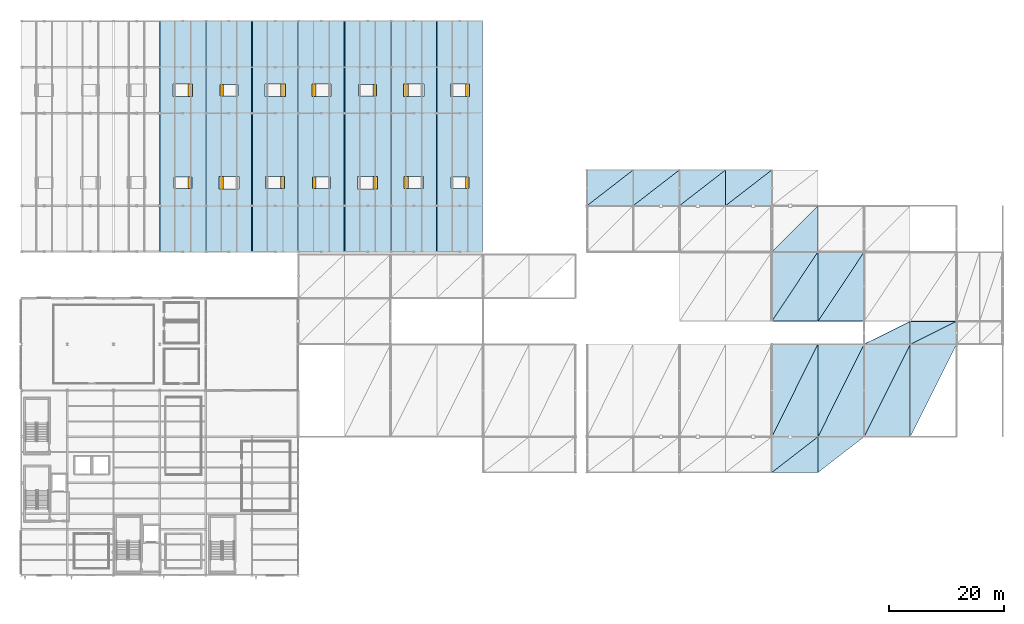
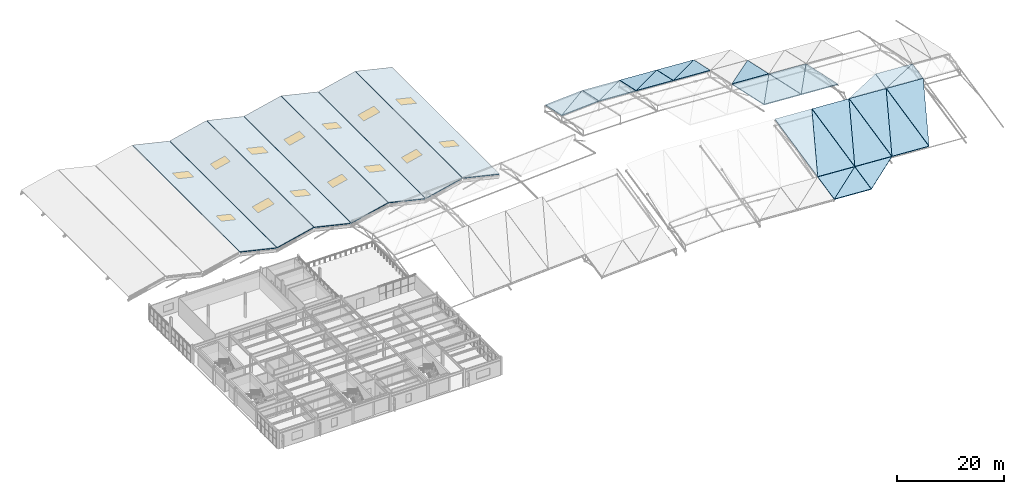
# One storey, part 38 of 67: 33 slabs, 14 windows, 14 openings.
"""IFC4 building model written with IfcOpenShell, lengths in metres."""

from ifc_helpers import new_model, si_unit, direction, frame, origin, origin_2d, place, context, subcontext, project, spatial, polyline, rectangle, outline, extrude, material, layer, layer_set, type_object, element, fill, save


model = new_model("IFC4")

# Units and contexts
model_context = context("Model", 3, precision=1e-05, world=origin(), true_north=direction((0.0, 1.0)))
body_context = subcontext(model_context, "Body", "Model", "MODEL_VIEW")
ifc_project = project(units=[si_unit("LENGTHUNIT", "METRE"), si_unit("AREAUNIT", "SQUARE_METRE"), si_unit("VOLUMEUNIT", "CUBIC_METRE"), si_unit("PLANEANGLEUNIT", "RADIAN"), si_unit("MASSUNIT", "GRAM", prefix="KILO")], contexts=[model_context])

# Site, building, storey
site_placement = place(None, origin())
site = spatial("IfcSite", under=ifc_project, at=site_placement, CompositionType="ELEMENT")
building_placement = place(site_placement, origin())
building = spatial("IfcBuilding", under=site, at=building_placement, Name="Drelvath Fold Interchange", CompositionType="ELEMENT")
storey_placement = place(building_placement, frame((0.0, 0.0, 15.60009765625)))
storey = spatial("IfcBuildingStorey", under=building, at=storey_placement, Name="L03", CompositionType="ELEMENT", Elevation=15.60009765625)

# Slab, openings, windows
ifc_material_1 = material(Name="Concrete f'c 35 MPa (5000 psi)", Category="concrete")
ifc_layer_1 = layer(ifc_material_1, 0.18994140625, Name="Concrete f'c 35 MPa (5000 psi)")
ifc_layer_set_1 = layer_set([ifc_layer_1], Name="Concrete f'c 35 MPa (5000 psi)")
slab_type_1 = type_object("IfcSlabType", Name="RF-FP1", PredefinedType="ROOF", material=ifc_layer_set_1)
slab_1_placement = place(storey_placement, frame((28.054931640625, 59.0, 2.39990234375), z_axis=(0.228290377814, 0.0, 0.973593089231), x_axis=(0.973593089231, 0.0, -0.228290377814)))
slab_1 = element("IfcSlab", 1, at=slab_1_placement, inside=storey, type_object=slab_type_1, Name="Concourse folded-plate roof slab 4", PredefinedType="ROOF", context=body_context, shape_type="SweptSolid", body=[
    extrude(outline(polyline([(0.0, 0.0), (8.104142075397542, 0.0), (8.104142075397542, 40.00000000000001), (0.0, 40.00000000000001), (0.0, 0.0)])), origin(), (0.0, 0.0, -1.0), 0.18994140625),
])
opening_1_placement = place(slab_1_placement, frame((4.052001953125, 12.0, 0.010009765625)))
opening_1 = element("IfcOpeningElement", 2, at=opening_1_placement, cuts=slab_1, Name="Opening SK-07", PredefinedType="OPENING", context=body_context, shape_type="SweptSolid", body=[
    extrude(rectangle(XDim=3.199951171875, YDim=2.0, at=origin_2d()), origin(), (0.0, 0.0, -1.0), 0.2099609375),
])
opening_2_placement = place(slab_1_placement, frame((4.052001953125, 28.0, 0.010009765625)))
opening_2 = element("IfcOpeningElement", 3, at=opening_2_placement, cuts=slab_1, Name="Opening SK-08", PredefinedType="OPENING", context=body_context, shape_type="SweptSolid", body=[
    extrude(rectangle(XDim=3.39990234375, YDim=2.10009765625, at=origin_2d()), origin(), (0.0, 0.0, -1.0), 0.2099609375),
])
ifc_material_2 = material(Name="Fritted Laminated Skylight Glass", Category="glass")
window_type_1 = type_object("IfcWindowType", Name="SK-320x200", PartitioningType="DOUBLE_PANEL_HORIZONTAL", PredefinedType="SKYLIGHT", material=ifc_material_2)
window_1_placement = place(slab_1_placement, frame((4.052001953125, 12.0, 0.0)))
window_1 = element("IfcWindow", 4, at=window_1_placement, inside=storey, type_object=window_type_1, Name="Roof skylight SK-07", OverallHeight=2.0, OverallWidth=3.199951171875, PartitioningType="SINGLE_PANEL", PredefinedType="SKYLIGHT", context=body_context, shape_type="SweptSolid", body=[
    extrude(rectangle(XDim=3.199951171875, YDim=2.0, at=origin_2d()), origin(), (0.0, 0.0, -1.0), 0.050048828125),
])
fill(opening_1, window_1)
window_type_2 = type_object("IfcWindowType", Name="SK-340x210", PartitioningType="DOUBLE_PANEL_HORIZONTAL", PredefinedType="SKYLIGHT", material=ifc_material_2)
window_2_placement = place(slab_1_placement, frame((4.052001953125, 28.0, 0.0)))
window_2 = element("IfcWindow", 5, at=window_2_placement, inside=storey, type_object=window_type_2, Name="Roof skylight SK-08", OverallHeight=2.10009765625, OverallWidth=3.39990234375, PartitioningType="SINGLE_PANEL", PredefinedType="SKYLIGHT", context=body_context, shape_type="SweptSolid", body=[
    extrude(rectangle(XDim=3.39990234375, YDim=2.10009765625, at=origin_2d()), origin(), (0.0, 0.0, -1.0), 0.050048828125),
])
fill(opening_2, window_2)

slab_2_placement = place(storey_placement, frame((36.054931640625, 59.0, 0.5498046875), z_axis=(-0.228290377814, 0.0, 0.973593089231), x_axis=(0.973593089231, 0.0, 0.228290377814)))
slab_2 = element("IfcSlab", 6, at=slab_2_placement, inside=storey, type_object=slab_type_1, Name="Concourse folded-plate roof slab 5", PredefinedType="ROOF", context=body_context, shape_type="SweptSolid", body=[
    extrude(outline(polyline([(0.0, 0.0), (8.104142075397542, 0.0), (8.104142075397542, 40.00000000000001), (0.0, 40.00000000000001), (0.0, 0.0)])), origin(), (0.0, 0.0, -1.0), 0.18994140625),
])
opening_3_placement = place(slab_2_placement, frame((4.052001953125, 12.0, 0.010009765625)))
opening_3 = element("IfcOpeningElement", 7, at=opening_3_placement, cuts=slab_2, Name="Opening SK-09", PredefinedType="OPENING", context=body_context, shape_type="SweptSolid", body=[
    extrude(rectangle(XDim=3.60009765625, YDim=2.199951171875, at=origin_2d()), origin(), (0.0, 0.0, -1.0), 0.2099609375),
])
opening_4_placement = place(slab_2_placement, frame((4.052001953125, 28.0, 0.010009765625)))
opening_4 = element("IfcOpeningElement", 8, at=opening_4_placement, cuts=slab_2, Name="Opening SK-10", PredefinedType="OPENING", context=body_context, shape_type="SweptSolid", body=[
    extrude(rectangle(XDim=3.199951171875, YDim=2.0, at=origin_2d()), origin(), (0.0, 0.0, -1.0), 0.2099609375),
])
window_3_placement = place(slab_2_placement, frame((4.052001953125, 28.0, 0.0)))
window_3 = element("IfcWindow", 9, at=window_3_placement, inside=storey, type_object=window_type_1, Name="Roof skylight SK-10", OverallHeight=2.0, OverallWidth=3.199951171875, PartitioningType="SINGLE_PANEL", PredefinedType="SKYLIGHT", context=body_context, shape_type="SweptSolid", body=[
    extrude(rectangle(XDim=3.199951171875, YDim=2.0, at=origin_2d()), origin(), (0.0, 0.0, -1.0), 0.050048828125),
])
fill(opening_4, window_3)
window_type_3 = type_object("IfcWindowType", Name="SK-360x220", PartitioningType="DOUBLE_PANEL_HORIZONTAL", PredefinedType="SKYLIGHT", material=ifc_material_2)
window_4_placement = place(slab_2_placement, frame((4.052001953125, 12.0, 0.0)))
window_4 = element("IfcWindow", 10, at=window_4_placement, inside=storey, type_object=window_type_3, Name="Roof skylight SK-09", OverallHeight=2.199951171875, OverallWidth=3.60009765625, PartitioningType="SINGLE_PANEL", PredefinedType="SKYLIGHT", context=body_context, shape_type="SweptSolid", body=[
    extrude(rectangle(XDim=3.60009765625, YDim=2.199951171875, at=origin_2d()), origin(), (0.0, 0.0, -1.0), 0.050048828125),
])
fill(opening_3, window_4)

slab_3_placement = place(storey_placement, frame((44.054931640625, 59.0, 2.39990234375), z_axis=(0.228290377814, 0.0, 0.973593089231), x_axis=(0.973593089231, 0.0, -0.228290377814)))
slab_3 = element("IfcSlab", 11, at=slab_3_placement, inside=storey, type_object=slab_type_1, Name="Concourse folded-plate roof slab 6", PredefinedType="ROOF", context=body_context, shape_type="SweptSolid", body=[
    extrude(outline(polyline([(0.0, 0.0), (8.104142075397542, 0.0), (8.104142075397542, 40.00000000000001), (0.0, 40.00000000000001), (0.0, 0.0)])), origin(), (0.0, 0.0, -1.0), 0.18994140625),
])
opening_5_placement = place(slab_3_placement, frame((4.052001953125, 12.0, 0.010009765625)))
opening_5 = element("IfcOpeningElement", 12, at=opening_5_placement, cuts=slab_3, Name="Opening SK-11", PredefinedType="OPENING", context=body_context, shape_type="SweptSolid", body=[
    extrude(rectangle(XDim=3.39990234375, YDim=2.10009765625, at=origin_2d()), origin(), (0.0, 0.0, -1.0), 0.2099609375),
])
opening_6_placement = place(slab_3_placement, frame((4.052001953125, 28.0, 0.010009765625)))
opening_6 = element("IfcOpeningElement", 13, at=opening_6_placement, cuts=slab_3, Name="Opening SK-12", PredefinedType="OPENING", context=body_context, shape_type="SweptSolid", body=[
    extrude(rectangle(XDim=3.60009765625, YDim=2.199951171875, at=origin_2d()), origin(), (0.0, 0.0, -1.0), 0.2099609375),
])
window_5_placement = place(slab_3_placement, frame((4.052001953125, 12.0, 0.0)))
window_5 = element("IfcWindow", 14, at=window_5_placement, inside=storey, type_object=window_type_2, Name="Roof skylight SK-11", OverallHeight=2.10009765625, OverallWidth=3.39990234375, PartitioningType="SINGLE_PANEL", PredefinedType="SKYLIGHT", context=body_context, shape_type="SweptSolid", body=[
    extrude(rectangle(XDim=3.39990234375, YDim=2.10009765625, at=origin_2d()), origin(), (0.0, 0.0, -1.0), 0.050048828125),
])
fill(opening_5, window_5)
window_6_placement = place(slab_3_placement, frame((4.052001953125, 28.0, 0.0)))
window_6 = element("IfcWindow", 15, at=window_6_placement, inside=storey, type_object=window_type_3, Name="Roof skylight SK-12", OverallHeight=2.199951171875, OverallWidth=3.60009765625, PartitioningType="SINGLE_PANEL", PredefinedType="SKYLIGHT", context=body_context, shape_type="SweptSolid", body=[
    extrude(rectangle(XDim=3.60009765625, YDim=2.199951171875, at=origin_2d()), origin(), (0.0, 0.0, -1.0), 0.050048828125),
])
fill(opening_6, window_6)

slab_4_placement = place(storey_placement, frame((52.054931640625, 59.0, 0.5498046875), z_axis=(-0.228290377814, 0.0, 0.973593089231), x_axis=(0.973593089231, 0.0, 0.228290377814)))
slab_4 = element("IfcSlab", 16, at=slab_4_placement, inside=storey, type_object=slab_type_1, Name="Concourse folded-plate roof slab 7", PredefinedType="ROOF", context=body_context, shape_type="SweptSolid", body=[
    extrude(outline(polyline([(0.0, 0.0), (8.104142075397542, 0.0), (8.104142075397542, 40.00000000000001), (0.0, 40.00000000000001), (0.0, 0.0)])), origin(), (0.0, 0.0, -1.0), 0.18994140625),
])
opening_7_placement = place(slab_4_placement, frame((4.052001953125, 12.0, 0.010009765625)))
opening_7 = element("IfcOpeningElement", 17, at=opening_7_placement, cuts=slab_4, Name="Opening SK-13", PredefinedType="OPENING", context=body_context, shape_type="SweptSolid", body=[
    extrude(rectangle(XDim=3.199951171875, YDim=2.0, at=origin_2d()), origin(), (0.0, 0.0, -1.0), 0.2099609375),
])
opening_8_placement = place(slab_4_placement, frame((4.052001953125, 28.0, 0.010009765625)))
opening_8 = element("IfcOpeningElement", 18, at=opening_8_placement, cuts=slab_4, Name="Opening SK-14", PredefinedType="OPENING", context=body_context, shape_type="SweptSolid", body=[
    extrude(rectangle(XDim=3.39990234375, YDim=2.10009765625, at=origin_2d()), origin(), (0.0, 0.0, -1.0), 0.2099609375),
])
window_7_placement = place(slab_4_placement, frame((4.052001953125, 12.0, 0.0)))
window_7 = element("IfcWindow", 19, at=window_7_placement, inside=storey, type_object=window_type_1, Name="Roof skylight SK-13", OverallHeight=2.0, OverallWidth=3.199951171875, PartitioningType="SINGLE_PANEL", PredefinedType="SKYLIGHT", context=body_context, shape_type="SweptSolid", body=[
    extrude(rectangle(XDim=3.199951171875, YDim=2.0, at=origin_2d()), origin(), (0.0, 0.0, -1.0), 0.050048828125),
])
fill(opening_7, window_7)
window_8_placement = place(slab_4_placement, frame((4.052001953125, 28.0, 0.0)))
window_8 = element("IfcWindow", 20, at=window_8_placement, inside=storey, type_object=window_type_2, Name="Roof skylight SK-14", OverallHeight=2.10009765625, OverallWidth=3.39990234375, PartitioningType="SINGLE_PANEL", PredefinedType="SKYLIGHT", context=body_context, shape_type="SweptSolid", body=[
    extrude(rectangle(XDim=3.39990234375, YDim=2.10009765625, at=origin_2d()), origin(), (0.0, 0.0, -1.0), 0.050048828125),
])
fill(opening_8, window_8)

slab_5_placement = place(storey_placement, frame((60.054931640625, 59.0, 2.39990234375), z_axis=(0.228290377814, 0.0, 0.973593089231), x_axis=(0.973593089231, 0.0, -0.228290377814)))
slab_5 = element("IfcSlab", 21, at=slab_5_placement, inside=storey, type_object=slab_type_1, Name="Concourse folded-plate roof slab 8", PredefinedType="ROOF", context=body_context, shape_type="SweptSolid", body=[
    extrude(outline(polyline([(0.0, 0.0), (8.104142075397542, 0.0), (8.104142075397542, 40.00000000000001), (0.0, 40.00000000000001), (0.0, 0.0)])), origin(), (0.0, 0.0, -1.0), 0.18994140625),
])
opening_9_placement = place(slab_5_placement, frame((4.052001953125, 12.0, 0.010009765625)))
opening_9 = element("IfcOpeningElement", 22, at=opening_9_placement, cuts=slab_5, Name="Opening SK-15", PredefinedType="OPENING", context=body_context, shape_type="SweptSolid", body=[
    extrude(rectangle(XDim=3.60009765625, YDim=2.199951171875, at=origin_2d()), origin(), (0.0, 0.0, -1.0), 0.2099609375),
])
opening_10_placement = place(slab_5_placement, frame((4.052001953125, 28.0, 0.010009765625)))
opening_10 = element("IfcOpeningElement", 23, at=opening_10_placement, cuts=slab_5, Name="Opening SK-16", PredefinedType="OPENING", context=body_context, shape_type="SweptSolid", body=[
    extrude(rectangle(XDim=3.199951171875, YDim=2.0, at=origin_2d()), origin(), (0.0, 0.0, -1.0), 0.2099609375),
])
window_9_placement = place(slab_5_placement, frame((4.052001953125, 28.0, 0.0)))
window_9 = element("IfcWindow", 24, at=window_9_placement, inside=storey, type_object=window_type_1, Name="Roof skylight SK-16", OverallHeight=2.0, OverallWidth=3.199951171875, PartitioningType="SINGLE_PANEL", PredefinedType="SKYLIGHT", context=body_context, shape_type="SweptSolid", body=[
    extrude(rectangle(XDim=3.199951171875, YDim=2.0, at=origin_2d()), origin(), (0.0, 0.0, -1.0), 0.050048828125),
])
fill(opening_10, window_9)
window_10_placement = place(slab_5_placement, frame((4.052001953125, 12.0, 0.0)))
window_10 = element("IfcWindow", 25, at=window_10_placement, inside=storey, type_object=window_type_3, Name="Roof skylight SK-15", OverallHeight=2.199951171875, OverallWidth=3.60009765625, PartitioningType="SINGLE_PANEL", PredefinedType="SKYLIGHT", context=body_context, shape_type="SweptSolid", body=[
    extrude(rectangle(XDim=3.60009765625, YDim=2.199951171875, at=origin_2d()), origin(), (0.0, 0.0, -1.0), 0.050048828125),
])
fill(opening_9, window_10)

slab_6_placement = place(storey_placement, frame((68.054931640625, 59.0, 0.5498046875), z_axis=(-0.228290377814, 0.0, 0.973593089231), x_axis=(0.973593089231, 0.0, 0.228290377814)))
slab_6 = element("IfcSlab", 26, at=slab_6_placement, inside=storey, type_object=slab_type_1, Name="Concourse folded-plate roof slab 9", PredefinedType="ROOF", context=body_context, shape_type="SweptSolid", body=[
    extrude(outline(polyline([(0.0, 0.0), (8.104142075397542, 0.0), (8.104142075397542, 40.00000000000001), (0.0, 40.00000000000001), (0.0, 0.0)])), origin(), (0.0, 0.0, -1.0), 0.18994140625),
])
opening_11_placement = place(slab_6_placement, frame((4.052001953125, 12.0, 0.010009765625)))
opening_11 = element("IfcOpeningElement", 27, at=opening_11_placement, cuts=slab_6, Name="Opening SK-17", PredefinedType="OPENING", context=body_context, shape_type="SweptSolid", body=[
    extrude(rectangle(XDim=3.39990234375, YDim=2.10009765625, at=origin_2d()), origin(), (0.0, 0.0, -1.0), 0.2099609375),
])
opening_12_placement = place(slab_6_placement, frame((4.052001953125, 28.0, 0.010009765625)))
opening_12 = element("IfcOpeningElement", 28, at=opening_12_placement, cuts=slab_6, Name="Opening SK-18", PredefinedType="OPENING", context=body_context, shape_type="SweptSolid", body=[
    extrude(rectangle(XDim=3.60009765625, YDim=2.199951171875, at=origin_2d()), origin(), (0.0, 0.0, -1.0), 0.2099609375),
])
window_11_placement = place(slab_6_placement, frame((4.052001953125, 12.0, 0.0)))
window_11 = element("IfcWindow", 29, at=window_11_placement, inside=storey, type_object=window_type_2, Name="Roof skylight SK-17", OverallHeight=2.10009765625, OverallWidth=3.39990234375, PartitioningType="SINGLE_PANEL", PredefinedType="SKYLIGHT", context=body_context, shape_type="SweptSolid", body=[
    extrude(rectangle(XDim=3.39990234375, YDim=2.10009765625, at=origin_2d()), origin(), (0.0, 0.0, -1.0), 0.050048828125),
])
fill(opening_11, window_11)
window_12_placement = place(slab_6_placement, frame((4.052001953125, 28.0, 0.0)))
window_12 = element("IfcWindow", 30, at=window_12_placement, inside=storey, type_object=window_type_3, Name="Roof skylight SK-18", OverallHeight=2.199951171875, OverallWidth=3.60009765625, PartitioningType="SINGLE_PANEL", PredefinedType="SKYLIGHT", context=body_context, shape_type="SweptSolid", body=[
    extrude(rectangle(XDim=3.60009765625, YDim=2.199951171875, at=origin_2d()), origin(), (0.0, 0.0, -1.0), 0.050048828125),
])
fill(opening_12, window_12)

slab_7_placement = place(storey_placement, frame((76.054931640625, 59.0, 2.39990234375), z_axis=(0.228290377814, 0.0, 0.973593089231), x_axis=(0.973593089231, 0.0, -0.228290377814)))
slab_7 = element("IfcSlab", 31, at=slab_7_placement, inside=storey, type_object=slab_type_1, Name="Concourse folded-plate roof slab 10", PredefinedType="ROOF", context=body_context, shape_type="SweptSolid", body=[
    extrude(outline(polyline([(0.0, 0.0), (8.104142075397542, 0.0), (8.104142075397542, 40.00000000000001), (0.0, 40.00000000000001), (0.0, 0.0)])), origin(), (0.0, 0.0, -1.0), 0.18994140625),
])
opening_13_placement = place(slab_7_placement, frame((4.052001953125, 12.0, 0.010009765625)))
opening_13 = element("IfcOpeningElement", 32, at=opening_13_placement, cuts=slab_7, Name="Opening SK-19", PredefinedType="OPENING", context=body_context, shape_type="SweptSolid", body=[
    extrude(rectangle(XDim=3.199951171875, YDim=2.0, at=origin_2d()), origin(), (0.0, 0.0, -1.0), 0.2099609375),
])
opening_14_placement = place(slab_7_placement, frame((4.052001953125, 28.0, 0.010009765625)))
opening_14 = element("IfcOpeningElement", 33, at=opening_14_placement, cuts=slab_7, Name="Opening SK-20", PredefinedType="OPENING", context=body_context, shape_type="SweptSolid", body=[
    extrude(rectangle(XDim=3.39990234375, YDim=2.10009765625, at=origin_2d()), origin(), (0.0, 0.0, -1.0), 0.2099609375),
])
window_13_placement = place(slab_7_placement, frame((4.052001953125, 12.0, 0.0)))
window_13 = element("IfcWindow", 34, at=window_13_placement, inside=storey, type_object=window_type_1, Name="Roof skylight SK-19", OverallHeight=2.0, OverallWidth=3.199951171875, PartitioningType="SINGLE_PANEL", PredefinedType="SKYLIGHT", context=body_context, shape_type="SweptSolid", body=[
    extrude(rectangle(XDim=3.199951171875, YDim=2.0, at=origin_2d()), origin(), (0.0, 0.0, -1.0), 0.050048828125),
])
fill(opening_13, window_13)
window_14_placement = place(slab_7_placement, frame((4.052001953125, 28.0, 0.0)))
window_14 = element("IfcWindow", 35, at=window_14_placement, inside=storey, type_object=window_type_2, Name="Roof skylight SK-20", OverallHeight=2.10009765625, OverallWidth=3.39990234375, PartitioningType="SINGLE_PANEL", PredefinedType="SKYLIGHT", context=body_context, shape_type="SweptSolid", body=[
    extrude(rectangle(XDim=3.39990234375, YDim=2.10009765625, at=origin_2d()), origin(), (0.0, 0.0, -1.0), 0.050048828125),
])
fill(opening_14, window_14)

# Slabs
ifc_layer_2 = layer(ifc_material_1, 0.169921875, Name="Concrete f'c 35 MPa (5000 psi)")
ifc_layer_set_2 = layer_set([ifc_layer_2], Name="Concrete f'c 35 MPa (5000 psi)")
slab_type_2 = type_object("IfcSlabType", Name="RF-SF1", PredefinedType="ROOF", material=ifc_layer_set_2)
slab_8_placement = place(storey_placement, frame((102.030029296875, 67.030029296875, 2.7119140625), z_axis=(-0.058721122025, 0.212723178899, 0.975346440496), x_axis=(0.998192566997, 0.0, 0.060096582196)))
element("IfcSlab", 36, at=slab_8_placement, inside=storey, type_object=slab_type_2, Name="Space frame canopy sloped roof facet 57", PredefinedType="ROOF", context=body_context, shape_type="SweptSolid", body=[
    extrude(outline(polyline([(0.0, 0.0), (7.954318303667255, 0.0), (7.873842289666909, 6.283710976103037), (0.0, 0.0)])), origin(), (0.0, 0.0, -1.0), 0.169921875),
])
slab_9_placement = place(storey_placement, frame((102.030029296875, 67.030029296875, 2.7119140625), z_axis=(-0.058574100487, 0.212539897953, 0.975395236061), x_axis=(0.788173626224, 0.609488301024, -0.085477165602)))
element("IfcSlab", 37, at=slab_9_placement, inside=storey, type_object=slab_type_2, Name="Space frame canopy sloped roof facet 58", PredefinedType="ROOF", context=body_context, shape_type="SweptSolid", body=[
    extrude(outline(polyline([(0.0, 0.0), (10.073848124413272, 3.608224830031759e-16), (3.8565517944226664, 4.961374855049018), (0.0, 0.0)])), origin(), (0.0, 0.0, -1.0), 0.169921875),
])
slab_10_placement = place(storey_placement, frame((110.030029296875, 67.030029296875, 3.18994140625), z_axis=(0.058723543311, 0.212538028694, 0.975386657598), x_axis=(0.998192566997, 0.0, -0.060096582196)))
element("IfcSlab", 38, at=slab_10_placement, inside=storey, type_object=slab_type_2, Name="Space frame canopy sloped roof facet 69", PredefinedType="ROOF", context=body_context, shape_type="SweptSolid", body=[
    extrude(outline(polyline([(0.0, 0.0), (7.954318303667255, -1.3877787807814457e-17), (8.03472095758191, 6.283451886393405), (0.0, 0.0)])), origin(), (0.0, 0.0, -1.0), 0.169921875),
])
slab_11_placement = place(storey_placement, frame((110.030029296875, 67.030029296875, 3.18994140625), z_axis=(0.058571685319, 0.212725049631, 0.975355017898), x_axis=(0.778431207908, 0.601954567606, -0.178032449555)))
element("IfcSlab", 39, at=slab_11_placement, inside=storey, type_object=slab_type_2, Name="Space frame canopy sloped roof facet 70", PredefinedType="ROOF", context=body_context, shape_type="SweptSolid", body=[
    extrude(outline(polyline([(0.0, 0.0), (10.19992688575888, 3.0531133177191805e-16), (3.93434165198211, 4.90025058395036), (0.0, 0.0)])), origin(), (0.0, 0.0, -1.0), 0.169921875),
])
slab_12_placement = place(storey_placement, frame((118.030029296875, 67.030029296875, 2.708984375), z_axis=(0.058723059207, 0.212575060567, 0.975378616714), x_axis=(0.998192566997, 0.0, -0.060096582196)))
element("IfcSlab", 40, at=slab_12_placement, inside=storey, type_object=slab_type_2, Name="Space frame canopy sloped roof facet 81", PredefinedType="ROOF", context=body_context, shape_type="SweptSolid", body=[
    extrude(outline(polyline([(0.0, 0.0), (7.954318303667255, -1.3877787807814457e-17), (8.03473562959905, 6.283503686286712), (0.0, 0.0)])), origin(), (0.0, 0.0, -1.0), 0.169921875),
])
slab_13_placement = place(storey_placement, frame((118.030029296875, 67.030029296875, 2.708984375), z_axis=(0.058601572976, 0.212724675863, 0.975353304154), x_axis=(0.778427890576, 0.60195200234, -0.178055626284)))
element("IfcSlab", 41, at=slab_13_placement, inside=storey, type_object=slab_type_2, Name="Space frame canopy sloped roof facet 82", PredefinedType="ROOF", context=body_context, shape_type="SweptSolid", body=[
    extrude(outline(polyline([(0.0, 0.0), (10.199970353541579, -8.881784197001252e-16), (3.93435693774895, 4.900238311185883), (0.0, 0.0)])), origin(), (0.0, 0.0, -1.0), 0.169921875),
])
slab_14_placement = place(storey_placement, frame((126.030029296875, 67.030029296875, 2.226806640625), z_axis=(0.058571685319, 0.212725049631, 0.975355017898), x_axis=(0.998201761375, 0.0, -0.05994367013)))
element("IfcSlab", 42, at=slab_14_placement, inside=storey, type_object=slab_type_2, Name="Space frame canopy sloped roof facet 93", PredefinedType="ROOF", context=body_context, shape_type="SweptSolid", body=[
    extrude(outline(polyline([(0.0, 0.0), (7.954245036911256, 1.3877787807814457e-17), (8.034516284631593, 6.283713595225087), (0.0, 0.0)])), origin(), (0.0, 0.0, -1.0), 0.169921875),
])
slab_15_placement = place(storey_placement, frame((126.030029296875, 67.030029296875, 2.226806640625), z_axis=(0.058723543311, 0.212538028694, 0.975386657598), x_axis=(0.778431207908, 0.601954567606, -0.178032449555)))
element("IfcSlab", 43, at=slab_15_placement, inside=storey, type_object=slab_type_2, Name="Space frame canopy sloped roof facet 94", PredefinedType="ROOF", context=body_context, shape_type="SweptSolid", body=[
    extrude(outline(polyline([(0.0, 0.0), (10.19992688575888, -2.7755575615628914e-16), (3.9341243272145876, 4.900091629081616), (0.0, 0.0)])), origin(), (0.0, 0.0, -1.0), 0.169921875),
])
slab_16_placement = place(storey_placement, frame((134.030029296875, 20.830078125, 0.407958984375), z_axis=(0.058721606435, -0.21268615069, 0.975354486452), x_axis=(0.998192566997, 0.0, -0.060096582196)))
element("IfcSlab", 44, at=slab_16_placement, inside=storey, type_object=slab_type_2, Name="Space frame canopy sloped roof facet 95", PredefinedType="ROOF", context=body_context, shape_type="SweptSolid", body=[
    extrude(outline(polyline([(0.0, 0.0), (7.954318303667255, 1.3877787807814457e-17), (7.873856961684047, 6.28365914011294), (0.0, 0.0)])), origin(), (0.0, 0.0, -1.0), 0.169921875),
])
slab_17_placement = place(storey_placement, frame((134.030029296875, 20.830078125, 0.407958984375), z_axis=(0.058603989367, -0.21253952448, 0.975393522105), x_axis=(0.788175258736, 0.609489563433, 0.085453107506)))
element("IfcSlab", 45, at=slab_17_placement, inside=storey, type_object=slab_type_2, Name="Space frame canopy sloped roof facet 96", PredefinedType="ROOF", context=body_context, shape_type="SweptSolid", body=[
    extrude(outline(polyline([(0.0, 0.0), (10.073827258901416, -5.273559366969494e-16), (3.856527358374693, 4.961393849462555), (0.0, 0.0)])), origin(), (0.0, 0.0, -1.0), 0.169921875),
])
slab_18_placement = place(storey_placement, frame((134.030029296875, 27.030029296875, 1.7587890625), z_axis=(0.058572942768, -0.212628672093, 0.975375957351), x_axis=(0.998201761375, 0.0, -0.05994367013)))
element("IfcSlab", 46, at=slab_18_placement, inside=storey, type_object=slab_type_2, Name="Space frame canopy sloped roof facet 97", PredefinedType="ROOF", context=body_context, shape_type="SweptSolid", body=[
    extrude(outline(polyline([(0.0, 0.0), (7.954245036911256, 0.0), (7.745949564020909, 16.31296882807382), (0.0, 0.0)])), origin(), (0.0, 0.0, -1.0), 0.169921875),
])
slab_19_placement = place(storey_placement, frame((134.030029296875, 27.030029296875, 1.7587890625), z_axis=(0.058602644906, -0.212642562108, 0.975371145149), x_axis=(0.439676698884, 0.882679160879, 0.16601776835)))
element("IfcSlab", 47, at=slab_19_placement, inside=storey, type_object=slab_type_2, Name="Space frame canopy sloped roof facet 98", PredefinedType="ROOF", context=body_context, shape_type="SweptSolid", body=[
    extrude(outline(polyline([(0.0, 0.0), (18.058590383362255, 4.996003610813204e-16), (14.646782062625041, 7.185388713571645), (0.0, 0.0)])), origin(), (0.0, 0.0, -1.0), 0.169921875),
])
slab_20_placement = place(storey_placement, frame((134.030029296875, 47.030029296875, 6.10595703125), z_axis=(0.058602667836, 0.212640805192, 0.975371526799), x_axis=(0.99819992436, 0.0, -0.059974252881)))
element("IfcSlab", 48, at=slab_20_placement, inside=storey, type_object=slab_type_2, Name="Space frame canopy sloped roof facet 101", PredefinedType="ROOF", context=body_context, shape_type="SweptSolid", body=[
    extrude(outline(polyline([(0.0, 0.0), (7.954259675329594, -1.3877787807814457e-17), (8.110374295500025, 12.219393616802861), (0.0, 0.0)])), origin(), (0.0, 0.0, -1.0), 0.169921875),
])
slab_21_placement = place(storey_placement, frame((134.030029296875, 47.030029296875, 6.10595703125), z_axis=(0.058602667836, 0.212640805192, 0.975371526799), x_axis=(0.541384003579, 0.814123549568, -0.210014777355)))
element("IfcSlab", 49, at=slab_21_placement, inside=storey, type_object=slab_type_2, Name="Space frame canopy sloped roof facet 102", PredefinedType="ROOF", context=body_context, shape_type="SweptSolid", body=[
    extrude(outline(polyline([(0.0, 0.0), (14.666006667647126, 4.440892098500626e-16), (10.267261687335782, 6.627313903895017), (0.0, 0.0)])), origin(), (0.0, 0.0, -1.0), 0.169921875),
])
slab_22_placement = place(storey_placement, frame((134.030029296875, 59.030029296875, 3.489990234375), z_axis=(0.05860271387, 0.212637278064, 0.975372292976), x_axis=(0.99819992436, 0.0, -0.059974252881)))
element("IfcSlab", 50, at=slab_22_placement, inside=storey, type_object=slab_type_2, Name="Space frame canopy sloped roof facet 103", PredefinedType="ROOF", context=body_context, shape_type="SweptSolid", body=[
    extrude(outline(polyline([(0.0, 0.0), (7.954259675329594, 0.0), (8.058072530048067, 8.125767943395397), (0.0, 0.0)])), origin(), (0.0, 0.0, -1.0), 0.169921875),
])
slab_23_placement = place(storey_placement, frame((142.030029296875, 20.830078125, -0.072998046875), z_axis=(0.058603989367, -0.21253952448, 0.975393522105), x_axis=(0.788175258736, 0.609489563433, 0.085453107506)))
element("IfcSlab", 51, at=slab_23_placement, inside=storey, type_object=slab_type_2, Name="Space frame canopy sloped roof facet 108", PredefinedType="ROOF", context=body_context, shape_type="SweptSolid", body=[
    extrude(outline(polyline([(0.0, 0.0), (10.073827258901416, -5.273559366969494e-16), (3.856527358374693, 4.961393849462555), (0.0, 0.0)])), origin(), (0.0, 0.0, -1.0), 0.169921875),
])
slab_24_placement = place(storey_placement, frame((142.030029296875, 27.030029296875, 1.27783203125), z_axis=(0.058602644906, -0.212642562108, 0.975371145149), x_axis=(0.99819992436, 0.0, -0.059974252881)))
element("IfcSlab", 52, at=slab_24_placement, inside=storey, type_object=slab_type_2, Name="Space frame canopy sloped roof facet 109", PredefinedType="ROOF", context=body_context, shape_type="SweptSolid", body=[
    extrude(outline(polyline([(0.0, 0.0), (7.954259675329594, 1.3877787807814457e-17), (7.7458432897072065, 16.31301929028963), (0.0, 0.0)])), origin(), (0.0, 0.0, -1.0), 0.169921875),
])
slab_25_placement = place(storey_placement, frame((142.030029296875, 27.030029296875, 1.27783203125), z_axis=(0.058602644906, -0.212642562108, 0.975371145149), x_axis=(0.439676698884, 0.882679160879, 0.16601776835)))
element("IfcSlab", 53, at=slab_25_placement, inside=storey, type_object=slab_type_2, Name="Space frame canopy sloped roof facet 110", PredefinedType="ROOF", context=body_context, shape_type="SweptSolid", body=[
    extrude(outline(polyline([(0.0, 0.0), (18.058590383362255, 4.996003610813204e-16), (14.646782062625041, 7.185388713571645), (0.0, 0.0)])), origin(), (0.0, 0.0, -1.0), 0.169921875),
])
slab_26_placement = place(storey_placement, frame((142.030029296875, 47.030029296875, 5.625), z_axis=(0.058602667836, 0.212640805192, 0.975371526799), x_axis=(0.99819992436, 0.0, -0.059974252881)))
element("IfcSlab", 54, at=slab_26_placement, inside=storey, type_object=slab_type_2, Name="Space frame canopy sloped roof facet 113", PredefinedType="ROOF", context=body_context, shape_type="SweptSolid", body=[
    extrude(outline(polyline([(0.0, 0.0), (7.954259675329594, -1.3877787807814457e-17), (8.110374295500025, 12.219393616802861), (0.0, 0.0)])), origin(), (0.0, 0.0, -1.0), 0.169921875),
])
slab_27_placement = place(storey_placement, frame((142.030029296875, 47.030029296875, 5.625), z_axis=(0.058602667836, 0.212640805192, 0.975371526799), x_axis=(0.541384003579, 0.814123549568, -0.210014777355)))
element("IfcSlab", 55, at=slab_27_placement, inside=storey, type_object=slab_type_2, Name="Space frame canopy sloped roof facet 114", PredefinedType="ROOF", context=body_context, shape_type="SweptSolid", body=[
    extrude(outline(polyline([(0.0, 0.0), (14.666006667647126, 4.440892098500626e-16), (10.267261687335782, 6.627313903895017), (0.0, 0.0)])), origin(), (0.0, 0.0, -1.0), 0.169921875),
])
slab_28_placement = place(storey_placement, frame((150.030029296875, 27.030029296875, 0.796875), z_axis=(0.058602644906, -0.212642562108, 0.975371145149), x_axis=(0.99819992436, 0.0, -0.059974252881)))
element("IfcSlab", 56, at=slab_28_placement, inside=storey, type_object=slab_type_2, Name="Space frame canopy sloped roof facet 121", PredefinedType="ROOF", context=body_context, shape_type="SweptSolid", body=[
    extrude(outline(polyline([(0.0, 0.0), (7.954259675329594, 1.3877787807814457e-17), (7.7458432897072065, 16.31301929028963), (0.0, 0.0)])), origin(), (0.0, 0.0, -1.0), 0.169921875),
])
slab_29_placement = place(storey_placement, frame((150.030029296875, 27.030029296875, 0.796875), z_axis=(0.058602644906, -0.212642562108, 0.975371145149), x_axis=(0.439676698884, 0.882679160879, 0.16601776835)))
element("IfcSlab", 57, at=slab_29_placement, inside=storey, type_object=slab_type_2, Name="Space frame canopy sloped roof facet 122", PredefinedType="ROOF", context=body_context, shape_type="SweptSolid", body=[
    extrude(outline(polyline([(0.0, 0.0), (18.058590383362255, 4.996003610813204e-16), (14.646782062625041, 7.185388713571645), (0.0, 0.0)])), origin(), (0.0, 0.0, -1.0), 0.169921875),
])
slab_30_placement = place(storey_placement, frame((150.030029296875, 43.030029296875, 4.284912109375), z_axis=(0.058602100168, -0.212684295127, 0.975362078647), x_axis=(0.99819992436, 0.0, -0.059974252881)))
element("IfcSlab", 58, at=slab_30_placement, inside=storey, type_object=slab_type_2, Name="Space frame canopy sloped roof facet 123", PredefinedType="ROOF", context=body_context, shape_type="SweptSolid", body=[
    extrude(outline(polyline([(0.0, 0.0), (7.954259675329594, 0.0), (7.902733943911498, 4.03219409468536), (0.0, 0.0)])), origin(), (0.0, 0.0, -1.0), 0.169921875),
])
slab_31_placement = place(storey_placement, frame((158.030029296875, 27.030029296875, 0.31591796875), z_axis=(0.058722196126, -0.212641065667, 0.975364281115), x_axis=(0.439680645631, 0.882687084228, 0.165965180671)))
element("IfcSlab", 59, at=slab_31_placement, inside=storey, type_object=slab_type_2, Name="Space frame canopy sloped roof facet 134", PredefinedType="ROOF", context=body_context, shape_type="SweptSolid", body=[
    extrude(outline(polyline([(0.0, 0.0), (18.058428282312818, -7.771561172376096e-16), (14.64672561301073, 7.185503779995731), (0.0, 0.0)])), origin(), (0.0, 0.0, -1.0), 0.169921875),
])
slab_32_placement = place(storey_placement, frame((158.030029296875, 43.030029296875, 3.803955078125), z_axis=(0.058605864327, -0.212395742734, 0.975424728585), x_axis=(0.99819992436, 0.0, -0.059974252881)))
element("IfcSlab", 60, at=slab_32_placement, inside=storey, type_object=slab_type_2, Name="Space frame canopy sloped roof facet 135", PredefinedType="ROOF", context=body_context, shape_type="SweptSolid", body=[
    extrude(outline(polyline([(0.0, 0.0), (7.954259675329594, 0.0), (7.90280715466941, 4.0319351134409205), (0.0, 0.0)])), origin(), (0.0, 0.0, -1.0), 0.169921875),
])
slab_33_placement = place(storey_placement, frame((158.030029296875, 43.030029296875, 3.803955078125), z_axis=(0.058722405013, -0.212625092757, 0.975367750687), x_axis=(0.894952455769, 0.444091468274, 0.042928658477)))
element("IfcSlab", 61, at=slab_33_placement, inside=storey, type_object=slab_type_2, Name="Space frame canopy sloped roof facet 136", PredefinedType="ROOF", context=body_context, shape_type="SweptSolid", body=[
    extrude(outline(polyline([(0.0, 0.0), (8.871914206240492, 3.469446951953614e-16), (1.786565218634904, 3.615108490749951), (0.0, 0.0)])), origin(), (0.0, 0.0, -1.0), 0.169921875),
])

save(model, "model.ifc")
